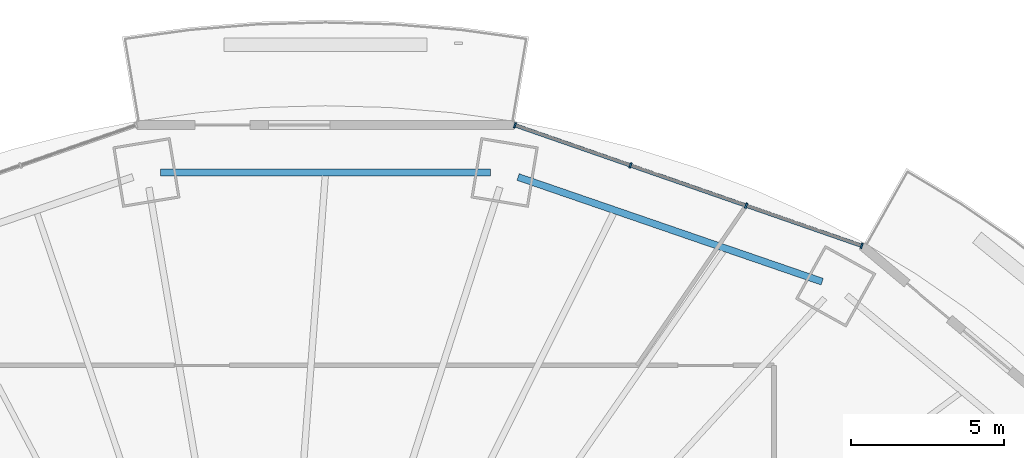
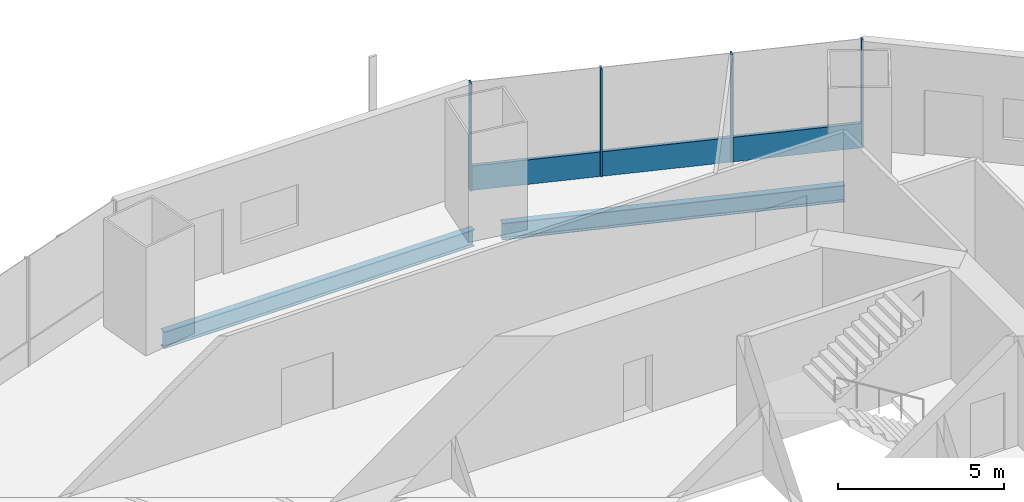
# One storey, part 9 of 21: 5 members, 2 beams, 1 element without a shape of its own.
"""IFC4 building model written with IfcOpenShell, lengths in metres."""

import ifcopenshell
import ifcopenshell.guid

model = None  # the IFC model being written
_history = None  # IfcOwnerHistory: only IFC2X3 demands one
_inside = {}  # id of a spatial element -> (the spatial element, [elements in it])
_under = {}  # id of a project, library or spatial element -> (it, [spatial elements below it])
_declared = {}  # id of a project -> (the project, [libraries it declares])
_typed = {}  # id of a type object -> (the type object, [elements of that type])
_made_of = {}  # id of a material, layer set ... -> (it, [elements and type objects made of it])


def new_model(schema):
    """Start an empty IFC model of exactly this schema.

    Asked for "IFC4X3", IfcOpenShell would pick the latest addendum, in which some entities
    have other attributes; the version numbers below select the first issue.
    IFC2X3 requires an IfcOwnerHistory on every rooted entity: one is made here for all.
    """
    global model, _history
    if schema == "IFC4X3":
        model = ifcopenshell.file(schema_version=(4, 3, 0, 0))
    else:
        model = ifcopenshell.file(schema=schema)
    _inside.clear()
    _under.clear()
    _declared.clear()
    _typed.clear()
    _made_of.clear()
    _history = None
    if model.schema == "IFC2X3":
        org = make("IfcOrganization", Name="unknown")
        user = make(
            "IfcPersonAndOrganization",
            ThePerson=make("IfcPerson", FamilyName="unknown"),
            TheOrganization=org,
        )
        app = make(
            "IfcApplication",
            ApplicationDeveloper=org,
            Version="unknown",
            ApplicationFullName="unknown",
            ApplicationIdentifier="unknown",
        )
        _history = make(
            "IfcOwnerHistory",
            OwningUser=user,
            OwningApplication=app,
            ChangeAction="ADDED",
            CreationDate=0,
        )
    return model


def make(cls, **values):
    """One entity of the class cls with the attributes given. An attribute that is None is left unset."""
    return model.create_entity(
        cls, **{name: value for name, value in values.items() if value is not None}
    )


def rooted(cls, **values):
    """An entity with a GlobalId (a new one), such as an element, a storey or a relation."""
    return make(cls, GlobalId=ifcopenshell.guid.new(), OwnerHistory=_history, **values)


def si_unit(unit_type, name, prefix=None):
    """IfcSIUnit, for example si_unit("LENGTHUNIT", "METRE", prefix="MILLI")."""
    return make("IfcSIUnit", UnitType=unit_type, Prefix=prefix, Name=name)


def assignment(units):
    """IfcUnitAssignment: the units of a project."""
    return None if units is None else make("IfcUnitAssignment", Units=units)


def point(xyz):
    """IfcCartesianPoint."""
    return None if xyz is None else make("IfcCartesianPoint", Coordinates=xyz)


def direction(xyz):
    """IfcDirection."""
    return None if xyz is None else make("IfcDirection", DirectionRatios=xyz)


def frame(location, z_axis=None, x_axis=None):
    """IfcAxis2Placement3D, a coordinate frame: its origin and axes. An axis left out is left unset."""
    return make(
        "IfcAxis2Placement3D",
        Location=point(location),
        Axis=direction(z_axis),
        RefDirection=direction(x_axis),
    )


def frame_2d(location, x_axis=None):
    """IfcAxis2Placement2D, a coordinate frame in the plane: its origin and x axis."""
    return make(
        "IfcAxis2Placement2D", Location=point(location), RefDirection=direction(x_axis)
    )


def origin():
    """The frame at (0, 0, 0) with its axes left unset."""
    return frame((0.0, 0.0, 0.0))


def origin_2d():
    """The frame at (0, 0) in the plane with its x axis left unset."""
    return frame_2d((0.0, 0.0))


def place(relative_to, where):
    """IfcLocalPlacement: puts the frame where relative to a parent placement (None: the world)."""
    return make(
        "IfcLocalPlacement", PlacementRelTo=relative_to, RelativePlacement=where
    )


def context(
    kind, dimensions, precision=None, world=None, true_north=None, identifier=None
):
    """IfcGeometricRepresentationContext, for example the 3D "Model" context."""
    return make(
        "IfcGeometricRepresentationContext",
        ContextIdentifier=identifier,
        ContextType=kind,
        CoordinateSpaceDimension=dimensions,
        Precision=precision,
        WorldCoordinateSystem=world,
        TrueNorth=true_north,
    )


def subcontext(parent, identifier, kind, view, scale=None):
    """IfcGeometricRepresentationSubContext, for example "Body" below "Model"."""
    return make(
        "IfcGeometricRepresentationSubContext",
        ContextIdentifier=identifier,
        ContextType=kind,
        ParentContext=parent,
        TargetScale=scale,
        TargetView=view,
    )


def project(units=None, contexts=None):
    """IfcProject with its units and contexts."""
    return rooted(
        "IfcProject",
        Name="project",
        RepresentationContexts=contexts,
        UnitsInContext=assignment(units),
    )


def spatial(cls, under=None, at=None, **own):
    """A site, building, storey or space (cls), placed at a placement, below another one or the project."""
    s = rooted(cls, ObjectPlacement=at, **own)
    if under is not None:
        _under.setdefault(under.id(), (under, []))[1].append(s)
    return s


def profile(cls, at=None, kind="AREA", **sizes):
    """A parametric profile (cls). Its sizes go by their IFC names, for example OverallWidth=200.0."""
    return make(cls, ProfileType=kind, Position=at, **sizes)


def rectangle(**sizes):
    """IfcRectangleProfileDef."""
    return profile("IfcRectangleProfileDef", **sizes)


def i_section(**sizes):
    """IfcIShapeProfileDef."""
    return profile("IfcIShapeProfileDef", **sizes)


def extrude(swept, where, along, depth):
    """IfcExtrudedAreaSolid: the profile swept, set in the frame where, extruded along a direction by depth."""
    return make(
        "IfcExtrudedAreaSolid",
        SweptArea=swept,
        Position=where,
        ExtrudedDirection=direction(along),
        Depth=depth,
    )


def shape(context_of_items, identifier, shape_type, items):
    """IfcShapeRepresentation: the items that make up one representation, for example the "Body"."""
    return make(
        "IfcShapeRepresentation",
        ContextOfItems=context_of_items,
        RepresentationIdentifier=identifier,
        RepresentationType=shape_type,
        Items=items,
    )


def material(Name=None, Category=None):
    """IfcMaterial."""
    return make("IfcMaterial", Name=Name, Category=Category)


def material_profile(
    of_material, cross_section, Name=None, Category=None, Priority=None
):
    """IfcMaterialProfile: a cross section and its material."""
    return make(
        "IfcMaterialProfile",
        Name=Name,
        Material=of_material,
        Profile=cross_section,
        Priority=Priority,
        Category=Category,
    )


def profile_set(profiles, Name=None, composite=None):
    """IfcMaterialProfileSet."""
    return make(
        "IfcMaterialProfileSet",
        Name=Name,
        MaterialProfiles=profiles,
        CompositeProfile=composite,
    )


def made_of(thing, what):
    """Note that an element or type object is made of a material, layer set ...; save() writes the relation."""
    if what is not None:
        _made_of.setdefault(what.id(), (what, []))[1].append(thing)
    return thing


def type_object(cls, material=None, **own):
    """A type object (cls), such as IfcWallType, which elements share."""
    return made_of(rooted(cls, **own), material)


def element(
    cls,
    number,
    at=None,
    inside=None,
    cuts=None,
    type_object=None,
    material=None,
    context=None,
    identifier="Body",
    shape_type=None,
    held_by="IfcProductDefinitionShape",
    body=None,
    shapes=None,
    **own,
):
    """One element of the class cls, such as IfcWall. Its Tag is "e" and its number.

    at: its placement. inside: the storey or other place that contains it. cuts: it is an
    opening in that element (IfcRelVoidsElement). A single representation is given by context,
    identifier, shape_type and body (its items); several are given by shapes. held_by: the class
    of the entity that holds the representations. save() writes the other relations.
    """
    e = rooted(cls, Tag="e%d" % number, ObjectPlacement=at, **own)
    if body is not None:
        shapes = [shape(context, identifier, shape_type, body)]
    if shapes is not None:
        e.Representation = make(held_by, Representations=shapes)
    if inside is not None:
        _inside.setdefault(inside.id(), (inside, []))[1].append(e)
    if cuts is not None:
        rooted(
            "IfcRelVoidsElement", RelatingBuildingElement=cuts, RelatedOpeningElement=e
        )
    if type_object is not None:
        _typed.setdefault(type_object.id(), (type_object, []))[1].append(e)
    return made_of(e, material)


def aggregate(whole, parts):
    """IfcRelAggregates: a whole, such as a stair, and the parts it consists of."""
    return rooted("IfcRelAggregates", RelatingObject=whole, RelatedObjects=parts)


def save(model, path):
    """Write the relations noted so far, then the file.

    IfcRelAggregates (storeys below a building ...), IfcRelContainedInSpatialStructure (elements
    in a storey), IfcRelDefinesByType, IfcRelAssociatesMaterial and IfcRelDeclares: one each for
    every whole, place, type object, material and project.
    """
    for whole, parts in _under.values():
        aggregate(whole, parts)
    for where, things in _inside.values():
        rooted(
            "IfcRelContainedInSpatialStructure",
            RelatedElements=things,
            RelatingStructure=where,
        )
    for kind, things in _typed.values():
        rooted("IfcRelDefinesByType", RelatedObjects=things, RelatingType=kind)
    for what, things in _made_of.values():
        rooted("IfcRelAssociatesMaterial", RelatedObjects=things, RelatingMaterial=what)
    for by, libraries in _declared.values():
        rooted("IfcRelDeclares", RelatingContext=by, RelatedDefinitions=libraries)
    model.write(path)


model = new_model("IFC4")

# Units and contexts
model_context = context("Model", 3, precision=1e-05, world=origin(), true_north=direction((0.0, 1.0)))
body_context = subcontext(model_context, "Body", "Model", "MODEL_VIEW")
ifc_project = project(units=[si_unit("LENGTHUNIT", "METRE"), si_unit("AREAUNIT", "SQUARE_METRE"), si_unit("VOLUMEUNIT", "CUBIC_METRE"), si_unit("PLANEANGLEUNIT", "RADIAN"), si_unit("MASSUNIT", "GRAM", prefix="KILO")], contexts=[model_context])

# Site, building, storey
site_placement = place(None, origin())
site = spatial("IfcSite", under=ifc_project, at=site_placement, CompositionType="ELEMENT")
building_placement = place(site_placement, origin())
building = spatial("IfcBuilding", under=site, at=building_placement, Name="Marenthal Gate Tower", CompositionType="ELEMENT")
storey_placement = place(building_placement, frame((0.0, 0.0, 202.550048828125)))
storey = spatial("IfcBuildingStorey", under=building, at=storey_placement, Name="L44", CompositionType="ELEMENT", Elevation=202.550048828125)

# Curtain wall, members
ifc_material_1 = material(Name="Aluminium and glass", Category="aluminium")
curtain_wall_type = type_object("IfcCurtainWallType", Name="Curtain wall typical mid", PredefinedType="NOTDEFINED", material=ifc_material_1)
curtain_wall_placement = place(storey_placement, origin())
curtain_wall = element("IfcCurtainWall", 1, at=curtain_wall_placement, inside=storey, type_object=curtain_wall_type, Name="Curtain wall L44 bay 3", PredefinedType="NOTDEFINED")
ifc_material_2 = material(Name="Aluminium", Category="aluminium")
ifc_material_profile_1 = material_profile(ifc_material_2, rectangle(XDim=0.179931640625, YDim=0.06005859375, at=origin_2d()), Name="60x180 aluminium mullion")
ifc_profile_set_1 = profile_set([ifc_material_profile_1], Name="Aluminium")
member_type_1 = type_object("IfcMemberType", Name="Mullion 60x180 typical mid", PredefinedType="MULLION", material=ifc_profile_set_1)
member_1_placement = place(storey_placement, frame((19.312255859375, 21.439697265625, 0.0), z_axis=(0.0, 0.0, 1.0), x_axis=(-0.328332307555, -0.944562277362, 0.0)))
member_1 = element("IfcMember", 2, at=member_1_placement, type_object=member_type_1, Name="Mullion L44 bay 3.1", PredefinedType="MULLION", context=body_context, shape_type="SweptSolid", body=[
    extrude(rectangle(XDim=0.179931640625, YDim=0.06005859375, at=origin_2d()), origin(), (0.0, 0.0, 1.0), 3.969970703125),
])
member_2_placement = place(storey_placement, frame((15.537353515625, 22.751708984375, 0.0), z_axis=(0.0, 0.0, 1.0), x_axis=(-0.328332307555, -0.944562277362, 0.0)))
member_2 = element("IfcMember", 3, at=member_2_placement, type_object=member_type_1, Name="Mullion L44 bay 3.2", PredefinedType="MULLION", context=body_context, shape_type="SweptSolid", body=[
    extrude(rectangle(XDim=0.179931640625, YDim=0.06005859375, at=origin_2d()), origin(), (0.0, 0.0, 1.0), 3.969970703125),
])
member_3_placement = place(storey_placement, frame((11.762451171875, 24.06396484375, 0.0), z_axis=(0.0, 0.0, 1.0), x_axis=(-0.328332307555, -0.944562277362, 0.0)))
member_3 = element("IfcMember", 4, at=member_3_placement, type_object=member_type_1, Name="Mullion L44 bay 3.3", PredefinedType="MULLION", context=body_context, shape_type="SweptSolid", body=[
    extrude(rectangle(XDim=0.179931640625, YDim=0.06005859375, at=origin_2d()), origin(), (0.0, 0.0, 1.0), 3.969970703125),
])
member_4_placement = place(storey_placement, frame((7.98779296875, 25.3759765625, 0.0), z_axis=(0.0, 0.0, 1.0), x_axis=(-0.328332307555, -0.944562277362, 0.0)))
member_4 = element("IfcMember", 5, at=member_4_placement, type_object=member_type_1, Name="Mullion L44 bay 3.4", PredefinedType="MULLION", context=body_context, shape_type="SweptSolid", body=[
    extrude(rectangle(XDim=0.179931640625, YDim=0.06005859375, at=origin_2d()), origin(), (0.0, 0.0, 1.0), 3.969970703125),
])
ifc_material_3 = material(Name="Aluminium", Category="aluminium")
ifc_material_profile_2 = material_profile(ifc_material_3, rectangle(XDim=0.1201171875, YDim=0.89990234375, at=origin_2d()), Name="120x900 aluminium transom")
ifc_profile_set_2 = profile_set([ifc_material_profile_2], Name="Aluminium")
member_type_2 = type_object("IfcMemberType", Name="Transom 120x900 typical mid", PredefinedType="USERDEFINED", material=ifc_profile_set_2)
member_5_placement = place(storey_placement, frame((19.283935546875, 21.449462890625, 0.449951171875), z_axis=(-0.944561661675, 0.328334078787, 0.0), x_axis=(-0.328334078787, -0.944561661675, 0.0)))
member_5 = element("IfcMember", 6, at=member_5_placement, type_object=member_type_2, Name="Transom L44 bay 3", ObjectType="TRANSOM", PredefinedType="USERDEFINED", context=body_context, shape_type="SweptSolid", body=[
    extrude(rectangle(XDim=0.1201171875, YDim=0.89990234375, at=origin_2d()), origin(), (0.0, 0.0, 1.0), 11.92919921875),
])
aggregate(curtain_wall, [member_1, member_2, member_3, member_4, member_5])

# Beams
ifc_material_4 = material(Name="Steel S355", Category="steel")
ifc_material_profile_3 = material_profile(ifc_material_4, i_section(OverallWidth=0.22900390625, OverallDepth=0.612060546875, WebThickness=0.011962890625, FlangeThickness=0.01953125, FilletRadius=0.0126953125, at=origin_2d()), Name="W610X125")
ifc_profile_set_3 = profile_set([ifc_material_profile_3], Name="Steel S355")
beam_type = type_object("IfcBeamType", Name="W610X125 beam", PredefinedType="BEAM", material=ifc_profile_set_3)
beam_1_placement = place(storey_placement, frame((18.023193359375, 20.267333984375, -0.486083984375), z_axis=(-0.945585416751, 0.325373968884, 0.0), x_axis=(-0.325373968884, -0.945585416751, 0.0)))
element("IfcBeam", 7, at=beam_1_placement, inside=storey, type_object=beam_type, Name="BM-L44-43", PredefinedType="BEAM", context=body_context, shape_type="SweptSolid", body=[
    extrude(i_section(OverallWidth=0.22900390625, OverallDepth=0.612060546875, WebThickness=0.011962890625, FlangeThickness=0.01953125, FilletRadius=0.0126953125, at=origin_2d()), origin(), (0.0, 0.0, 1.0), 10.50537109375),
])
beam_2_placement = place(storey_placement, frame((7.188232421875, 23.836181640625, -0.486083984375), z_axis=(-1.0, 0.0, 0.0), x_axis=(0.0, -1.0, 0.0)))
element("IfcBeam", 8, at=beam_2_placement, inside=storey, type_object=beam_type, Name="BM-L44-44", PredefinedType="BEAM", context=body_context, shape_type="SweptSolid", body=[
    extrude(i_section(OverallWidth=0.22900390625, OverallDepth=0.612060546875, WebThickness=0.011962890625, FlangeThickness=0.01953125, FilletRadius=0.0126953125, at=origin_2d()), origin(), (0.0, 0.0, 1.0), 10.7763671875),
])

save(model, "model.ifc")
